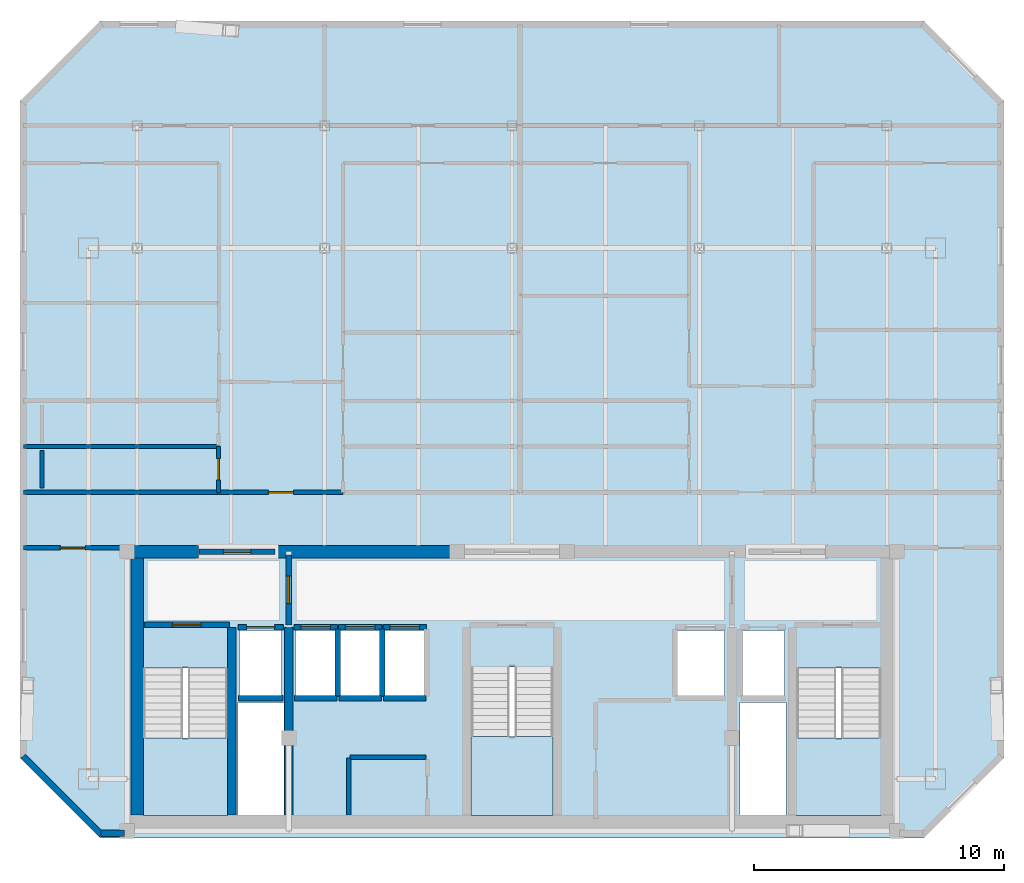
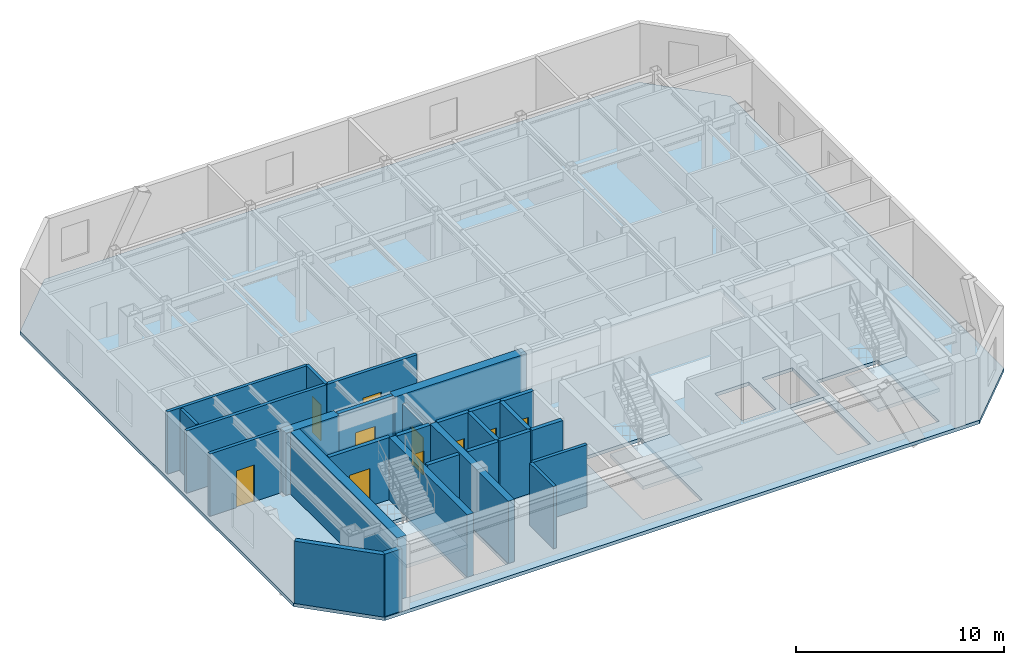
# One storey, part 2 of 7: 28 walls, 10 doors, 4 slabs, 10 openings, 3 elements without a shape of their own.
"""IFC4 building model written with IfcOpenShell, lengths in metres."""

from ifc_helpers import new_model, si_unit, direction, frame, frame_2d, origin, place, context, subcontext, project, spatial, polyline, rectangle, outline, extrude, material, layer, layer_set, type_object, element, fill, aggregate, save


model = new_model("IFC4")

# Units and contexts
model_context = context("Model", 3, precision=1e-05, world=origin(), true_north=direction((0.0, 1.0)))
body_context = subcontext(model_context, "Body", "Model", "MODEL_VIEW")
ifc_project = project(units=[si_unit("LENGTHUNIT", "METRE"), si_unit("AREAUNIT", "SQUARE_METRE"), si_unit("VOLUMEUNIT", "CUBIC_METRE"), si_unit("PLANEANGLEUNIT", "RADIAN"), si_unit("MASSUNIT", "GRAM", prefix="KILO")], contexts=[model_context])

# Site, building, storey
site_placement = place(None, origin())
site = spatial("IfcSite", under=ifc_project, at=site_placement, CompositionType="ELEMENT")
building_placement = place(site_placement, origin())
building = spatial("IfcBuilding", under=site, at=building_placement, Name="Ventersveld Concourse Tower", CompositionType="ELEMENT")
storey_placement = place(building_placement, frame((0.0, 0.0, 320.75)))
storey = spatial("IfcBuildingStorey", under=building, at=storey_placement, Name="L79", CompositionType="ELEMENT", Elevation=320.75)

# Slab
ifc_material_1 = material(Name="Concrete C50/60", Category="concrete")
ifc_layer_1 = layer(ifc_material_1, 0.199951171875)
ifc_layer_set_1 = layer_set([ifc_layer_1], Name="Concrete C50/60")
slab_type_1 = type_object("IfcSlabType", Name="SL-FLR-200", PredefinedType="FLOOR", material=ifc_layer_set_1)
slab_1_placement = place(storey_placement, frame((0.0, 0.0, -0.199951171875)))
element("IfcSlab", 1, at=slab_1_placement, inside=storey, type_object=slab_type_1, Name="L79 Composite Floor Slab", PredefinedType="FLOOR", context=body_context, shape_type="SweptSolid", body=[
    extrude(outline(polyline([(12.26416015625, 0.0), (45.23583984375, 0.0), (48.435791015625, 3.199951171875), (48.435791015625, 29.476318359375), (45.23583984375, 32.67626953125), (12.26416015625, 32.67626953125), (9.064208984375, 29.476318359375), (9.064208984375, 3.199951171875), (12.26416015625, 0.0)]), holes=[polyline([(13.97998046875, 6.794921875), (13.97998046875, 0.89990234375), (17.3798828125, 0.89990234375), (17.3798828125, 6.794921875), (13.97998046875, 6.794921875)]), polyline([(40.1201171875, 6.794921875), (40.1201171875, 0.89990234375), (43.52001953125, 0.89990234375), (43.52001953125, 6.794921875), (40.1201171875, 6.794921875)]), polyline([(27.10009765625, 6.844970703125), (27.10009765625, 0.89990234375), (30.39990234375, 0.89990234375), (30.39990234375, 6.844970703125), (27.10009765625, 6.844970703125)]), polyline([(17.85009765625, 5.699951171875), (19.530029296875, 5.699951171875), (19.530029296875, 8.300048828125), (17.85009765625, 8.300048828125), (17.85009765625, 5.699951171875)]), polyline([(37.969970703125, 5.699951171875), (39.64990234375, 5.699951171875), (39.64990234375, 8.300048828125), (37.969970703125, 8.300048828125), (37.969970703125, 5.699951171875)]), polyline([(35.35009765625, 5.699951171875), (37.25, 5.699951171875), (37.25, 8.300048828125), (35.35009765625, 8.300048828125), (35.35009765625, 5.699951171875)]), polyline([(20.090087890625, 5.699951171875), (21.68994140625, 5.699951171875), (21.68994140625, 8.300048828125), (20.090087890625, 8.300048828125), (20.090087890625, 5.699951171875)]), polyline([(21.8701171875, 5.699951171875), (23.469970703125, 5.699951171875), (23.469970703125, 8.300048828125), (21.8701171875, 8.300048828125), (21.8701171875, 5.699951171875)]), polyline([(23.64990234375, 5.699951171875), (25.25, 5.699951171875), (25.25, 8.300048828125), (23.64990234375, 8.300048828125), (23.64990234375, 5.699951171875)]), polyline([(17.780029296875, 0.919921875), (19.6201171875, 0.919921875), (19.6201171875, 5.419921875), (17.780029296875, 5.419921875), (17.780029296875, 0.919921875)]), polyline([(37.8798828125, 0.919921875), (39.719970703125, 0.919921875), (39.719970703125, 5.419921875), (37.8798828125, 5.419921875), (37.8798828125, 0.919921875)])]), origin(), (0.0, 0.0, 1.0), 0.199951171875),
])

# Stair, slab
stair_type_1 = type_object("IfcStairType", Name="ST-DOG-160", PredefinedType="HALF_TURN_STAIR", material=ifc_material_1)
stair_1_placement = place(storey_placement, origin())
stair_1 = element("IfcStair", 2, at=stair_1_placement, inside=storey, type_object=stair_type_1, Name="L79 Protected Tower Escape Stair ST-01", PredefinedType="HALF_TURN_STAIR")
ifc_layer_2 = layer(ifc_material_1, 0.199951171875)
ifc_layer_set_2 = layer_set([ifc_layer_2], Name="Concrete C50/60")
slab_type_2 = type_object("IfcSlabType", Name="SL-LND-200", PredefinedType="LANDING", material=ifc_layer_set_2)
slab_2_placement = place(storey_placement, frame((0.0, 0.0, 1.72509765625)))
slab_2 = element("IfcSlab", 3, at=slab_2_placement, type_object=slab_type_2, Name="ST-01 landing 1", PredefinedType="LANDING", context=body_context, shape_type="SweptSolid", body=[
    extrude(outline(polyline([(13.97998046875, 4.0), (13.97998046875, 0.89990234375), (17.3798828125, 0.89990234375), (17.3798828125, 4.0), (13.97998046875, 4.0)])), origin(), (0.0, 0.0, 1.0), 0.199951171875),
])
aggregate(stair_1, [slab_2])

stair_2_placement = place(storey_placement, origin())
stair_2 = element("IfcStair", 4, at=stair_2_placement, inside=storey, type_object=stair_type_1, Name="L79 Protected Tower Escape Stair ST-02", PredefinedType="HALF_TURN_STAIR")
slab_3_placement = place(storey_placement, frame((0.0, 0.0, 1.72509765625)))
slab_3 = element("IfcSlab", 5, at=slab_3_placement, type_object=slab_type_2, Name="ST-02 landing 1", PredefinedType="LANDING", context=body_context, shape_type="SweptSolid", body=[
    extrude(outline(polyline([(40.1201171875, 4.0), (40.1201171875, 0.89990234375), (43.52001953125, 0.89990234375), (43.52001953125, 4.0), (40.1201171875, 4.0)])), origin(), (0.0, 0.0, 1.0), 0.199951171875),
])
aggregate(stair_2, [slab_3])

stair_type_2 = type_object("IfcStairType", Name="ST-DOG-155", PredefinedType="HALF_TURN_STAIR", material=ifc_material_1)
stair_3_placement = place(storey_placement, origin())
stair_3 = element("IfcStair", 6, at=stair_3_placement, inside=storey, type_object=stair_type_2, Name="L79 Protected Central Core Escape Stair ST-03", PredefinedType="HALF_TURN_STAIR")
slab_4_placement = place(storey_placement, frame((0.0, 0.0, 1.72509765625)))
slab_4 = element("IfcSlab", 7, at=slab_4_placement, type_object=slab_type_2, Name="ST-03 landing 1", PredefinedType="LANDING", context=body_context, shape_type="SweptSolid", body=[
    extrude(outline(polyline([(27.10009765625, 4.050048828125), (27.10009765625, 0.89990234375), (30.39990234375, 0.89990234375), (30.39990234375, 4.050048828125), (27.10009765625, 4.050048828125)])), origin(), (0.0, 0.0, 1.0), 0.199951171875),
])
aggregate(stair_3, [slab_4])

# Walls
ifc_layer_3 = layer(ifc_material_1, 0.35009765625)
ifc_layer_set_3 = layer_set([ifc_layer_3], Name="Concrete C50/60")
wall_type_1 = type_object("IfcWallType", Name="WL-CORE-350U", PredefinedType="SHEAR", material=ifc_layer_set_3)
for number, where, z_axis, x_axis, name in (
    (8, (17.5400390625, 0.919921875, 0.0), (0.0, 0.0, 1.0), (0.0, 1.0, 0.0), "L79 Core Internal Shear Web W-ST1-E"),
    (9, (19.820068359375, 0.919921875, 0.0), (0.0, 0.0, 1.0), (0.0, 1.0, 0.0), "L79 Core Internal Shear Web W-FF1-E"),
):
    element("IfcWall", number, at=place(storey_placement, frame(where, z_axis=z_axis, x_axis=x_axis)), inside=storey, type_object=wall_type_1, Name=name, PredefinedType="SHEAR", context=body_context, shape_type="SweptSolid", body=[
        extrude(rectangle(XDim=7.5, YDim=0.35009765625, at=frame_2d((3.75, 0.0))), origin(), (0.0, 0.0, 1.0), 3.64990234375),
    ])
ifc_layer_4 = layer(ifc_material_1, 0.5)
ifc_layer_set_4 = layer_set([ifc_layer_4], Name="Concrete C50/60")
wall_type_2 = type_object("IfcWallType", Name="WL-CORE-500", PredefinedType="SHEAR", material=ifc_layer_set_4)
wall_1_placement = place(storey_placement, frame((13.75, 0.919921875, 0.0), z_axis=(0.0, 0.0, 1.0), x_axis=(0.0, 1.0, 0.0)))
element("IfcWall", 10, at=wall_1_placement, inside=storey, type_object=wall_type_2, Name="L79 Rear Core West Shear Wall", PredefinedType="SHEAR", context=body_context, shape_type="SweptSolid", body=[
    extrude(rectangle(XDim=10.530029296875, YDim=0.5, at=frame_2d((5.26513671875, 0.0))), origin(), (0.0, 0.0, 1.0), 3.64990234375),
])
wall_2_placement = place(storey_placement, frame((13.25, 11.449951171875, 0.0), z_axis=(0.0, 0.0, 1.0), x_axis=(1.0, 0.0, 0.0)))
element("IfcWall", 11, at=wall_2_placement, inside=storey, type_object=wall_type_2, Name="L79 Rear Core North Shear Wall NW", PredefinedType="SHEAR", context=body_context, shape_type="SweptSolid", body=[
    extrude(rectangle(XDim=2.949951171875, YDim=0.5, at=frame_2d((1.47509765625, 0.0))), origin(), (0.0, 0.0, 1.0), 3.64990234375),
])
wall_3_placement = place(storey_placement, frame((19.300048828125, 11.449951171875, 0.0), z_axis=(0.0, 0.0, 1.0), x_axis=(1.0, 0.0, 0.0)))
element("IfcWall", 12, at=wall_3_placement, inside=storey, type_object=wall_type_2, Name="L79 Rear Core North Shear Wall NML", PredefinedType="SHEAR", context=body_context, shape_type="SweptSolid", body=[
    extrude(rectangle(XDim=7.300048828125, YDim=0.5, at=frame_2d((3.64990234375, 0.0))), origin(), (0.0, 0.0, 1.0), 3.64990234375),
])
ifc_material_2 = material(Name="Fire-rated autoclaved aerated masonry blockwork", Category="masonry")
ifc_layer_5 = layer(ifc_material_2, 0.179931640625)
ifc_layer_set_5 = layer_set([ifc_layer_5], Name="Fire-rated autoclaved aerated masonry blockwork")
wall_type_3 = type_object("IfcWallType", Name="WL-CORR-180", PredefinedType="PARTITIONING", material=ifc_layer_set_5)
wall_4_placement = place(storey_placement, frame((22.260009765625, 3.22998046875, 0.0), z_axis=(0.0, 0.0, 1.0), x_axis=(1.0, 0.0, 0.0)))
element("IfcWall", 13, at=wall_4_placement, inside=storey, type_object=wall_type_3, Name="L79 Core Top Wall SP-L79-RECB1", PredefinedType="PARTITIONING", context=body_context, shape_type="SweptSolid", body=[
    extrude(rectangle(XDim=3.0400390625, YDim=0.179931640625, at=frame_2d((1.52001953125, 0.0))), origin(), (0.0, 0.0, 1.0), 3.64990234375),
])
wall_5_placement = place(storey_placement, frame((22.219970703125, 0.909912109375, 0.0), z_axis=(0.0, 0.0, 1.0), x_axis=(0.0, 1.0, 0.0)))
element("IfcWall", 14, at=wall_5_placement, inside=storey, type_object=wall_type_3, Name="L79 Core West Wall SP-L79-RECB1", PredefinedType="PARTITIONING", context=body_context, shape_type="SweptSolid", body=[
    extrude(rectangle(XDim=2.280029296875, YDim=0.179931640625, at=frame_2d((1.14013671875, 0.0))), origin(), (0.0, 0.0, 1.0), 3.64990234375),
])

# Wall, opening, door
wall_6_placement = place(storey_placement, frame((9.213623046875, 11.60009765625, 0.0), z_axis=(0.0, 0.0, 1.0), x_axis=(1.0, 0.0, 0.0)))
wall_6 = element("IfcWall", 15, at=wall_6_placement, inside=storey, type_object=wall_type_3, Name="L79 Interior Partition SP-L79-SW-GAL-SP-L79-COR", PredefinedType="PARTITIONING", context=body_context, shape_type="SweptSolid", body=[
    extrude(rectangle(XDim=3.931396484375, YDim=0.179931640625, at=frame_2d((1.9658203125, 0.0))), origin(), (0.0, 0.0, 1.0), 3.64990234375),
])
opening_1_placement = place(wall_6_placement, frame((1.4658203125, 0.0, 0.0)))
opening_1 = element("IfcOpeningElement", 16, at=opening_1_placement, cuts=wall_6, Name="Opening FD3", PredefinedType="OPENING", context=body_context, shape_type="SweptSolid", body=[
    extrude(rectangle(XDim=1.0, YDim=2.14990234375, at=frame_2d((0.5, 1.074951171875))), frame((0.0, 0.10009765625, 0.0), z_axis=(0.0, -1.0, 0.0), x_axis=(1.0, 0.0, 0.0)), (0.0, 0.0, 1.0), 0.199951171875),
])
ifc_material_3 = material(Name="Solid-core hardwood veneer timber", Category="wood")
door_type_1 = type_object("IfcDoorType", Name="DR-FLAT-100", OperationType="NOTDEFINED", PredefinedType="DOOR", material=ifc_material_3)
door_1_placement = place(opening_1_placement, origin())
door_1 = element("IfcDoor", 17, at=door_1_placement, inside=storey, type_object=door_type_1, Name="L79 Interior Door SP-L79-SW-GAL to SP-L79-COR (D-L79-3602)", OperationType="SINGLE_SWING_RIGHT", OverallHeight=2.14990234375, OverallWidth=1.0, PredefinedType="DOOR", context=body_context, shape_type="SweptSolid", body=[
    extrude(rectangle(XDim=1.0, YDim=2.14990234375, at=frame_2d((0.5, 1.074951171875))), frame((0.0, 0.02490234375, 0.0), z_axis=(0.0, -1.0, 0.0), x_axis=(1.0, 0.0, 0.0)), (0.0, 0.0, 1.0), 0.050048828125),
])
fill(opening_1, door_1)

wall_7_placement = place(storey_placement, frame((17.007568359375, 13.830078125, 0.0), z_axis=(0.0, 0.0, 1.0), x_axis=(1.0, 0.0, 0.0)))
wall_7 = element("IfcWall", 18, at=wall_7_placement, inside=storey, type_object=wall_type_3, Name="L79 Interior Partition SP-L79-COR-SP-L79-79N1-FOY", PredefinedType="PARTITIONING", context=body_context, shape_type="SweptSolid", body=[
    extrude(rectangle(XDim=4.989990234375, YDim=0.179931640625, at=frame_2d((2.4951171875, 0.0))), origin(), (0.0, 0.0, 1.0), 3.64990234375),
])
opening_2_placement = place(wall_7_placement, frame((1.9951171875, 0.0, 0.0)))
opening_2 = element("IfcOpeningElement", 19, at=opening_2_placement, cuts=wall_7, Name="Opening FD3", PredefinedType="OPENING", context=body_context, shape_type="SweptSolid", body=[
    extrude(rectangle(XDim=1.0, YDim=2.14990234375, at=frame_2d((0.5, 1.074951171875))), frame((0.0, 0.10009765625, 0.0), z_axis=(0.0, -1.0, 0.0), x_axis=(1.0, 0.0, 0.0)), (0.0, 0.0, 1.0), 0.199951171875),
])
door_2_placement = place(opening_2_placement, origin())
door_2 = element("IfcDoor", 20, at=door_2_placement, inside=storey, type_object=door_type_1, Name="L79 Interior Door SP-L79-COR to SP-L79-79N1-FOY (FD-L79-3604)", OperationType="SINGLE_SWING_RIGHT", OverallHeight=2.14990234375, OverallWidth=1.0, PredefinedType="DOOR", context=body_context, shape_type="SweptSolid", body=[
    extrude(rectangle(XDim=1.0, YDim=2.14990234375, at=frame_2d((0.5, 1.074951171875))), frame((0.0, 0.02490234375, 0.0), z_axis=(0.0, -1.0, 0.0), x_axis=(1.0, 0.0, 0.0)), (0.0, 0.0, 1.0), 0.050048828125),
])
fill(opening_2, door_2)

# Walls
wall_8_placement = place(storey_placement, frame((9.213623046875, 13.830078125, 0.0), z_axis=(0.0, 0.0, 1.0), x_axis=(1.0, 0.0, 0.0)))
element("IfcWall", 21, at=wall_8_placement, inside=storey, type_object=wall_type_3, Name="L79 Interior Partition SP-L79-COR-SP-L79-79N1-BATH", PredefinedType="PARTITIONING", context=body_context, shape_type="SweptSolid", body=[
    extrude(rectangle(XDim=7.763916015625, YDim=0.179931640625, at=frame_2d((3.8818359375, 0.0))), origin(), (0.0, 0.0, 1.0), 3.64990234375),
])
ifc_layer_6 = layer(ifc_material_2, 0.219970703125)
ifc_layer_set_6 = layer_set([ifc_layer_6], Name="Fire-rated autoclaved aerated masonry blockwork")
wall_type_4 = type_object("IfcWallType", Name="WL-HOIST-220", PredefinedType="SOLIDWALL", material=ifc_layer_set_6)
wall_9_placement = place(storey_placement, frame((17.800048828125, 5.590087890625, 0.0), z_axis=(0.0, 0.0, 1.0), x_axis=(1.0, 0.0, 0.0)))
element("IfcWall", 22, at=wall_9_placement, inside=storey, type_object=wall_type_4, Name="L79 Lift Hoistway Back Wall FFL-01", PredefinedType="SOLIDWALL", context=body_context, shape_type="SweptSolid", body=[
    extrude(rectangle(XDim=1.780029296875, YDim=0.219970703125, at=frame_2d((0.89013671875, 0.0))), origin(), (0.0, 0.0, 1.0), 3.64990234375),
])

# Wall, opening, door
wall_10_placement = place(storey_placement, frame((17.780029296875, 8.429931640625, 0.0), z_axis=(0.0, 0.0, 1.0), x_axis=(1.0, 0.0, 0.0)))
wall_10 = element("IfcWall", 23, at=wall_10_placement, inside=storey, type_object=wall_type_4, Name="L79 Lift Hoistway Front Wall FFL-01", PredefinedType="SOLIDWALL", context=body_context, shape_type="SweptSolid", body=[
    extrude(rectangle(XDim=1.820068359375, YDim=0.219970703125, at=frame_2d((0.91015625, 0.0))), origin(), (0.0, 0.0, 1.0), 3.64990234375),
])
opening_3_placement = place(wall_10_placement, frame((0.35009765625, 0.0, 0.0)))
opening_3 = element("IfcOpeningElement", 24, at=opening_3_placement, cuts=wall_10, Name="Opening LD1", PredefinedType="OPENING", context=body_context, shape_type="SweptSolid", body=[
    extrude(rectangle(XDim=1.1201171875, YDim=2.25, at=frame_2d((0.56005859375, 1.125))), frame((0.0, 0.1201171875, 0.0), z_axis=(0.0, -1.0, 0.0), x_axis=(1.0, 0.0, 0.0)), (0.0, 0.0, 1.0), 0.239990234375),
])
ifc_material_4 = material(Name="Brushed stainless steel 316", Category="steel")
door_type_2 = type_object("IfcDoorType", Name="LD-FF-112", OperationType="SLIDING_TO_LEFT", PredefinedType="DOOR", material=ifc_material_4)
door_3_placement = place(opening_3_placement, origin())
door_3 = element("IfcDoor", 25, at=door_3_placement, inside=storey, type_object=door_type_2, Name="L79 Lift landing door FFL-01 (LD-L79-FFL-01)", OperationType="SLIDING_TO_RIGHT", OverallHeight=2.25, OverallWidth=1.1201171875, PredefinedType="DOOR", context=body_context, shape_type="SweptSolid", body=[
    extrude(rectangle(XDim=1.1201171875, YDim=2.25, at=frame_2d((0.56005859375, 1.125))), frame((0.0, 0.02490234375, 0.0), z_axis=(0.0, -1.0, 0.0), x_axis=(1.0, 0.0, 0.0)), (0.0, 0.0, 1.0), 0.050048828125),
])
fill(opening_3, door_3)

# Walls
wall_11_placement = place(storey_placement, frame((20.0400390625, 5.590087890625, 0.0), z_axis=(0.0, 0.0, 1.0), x_axis=(1.0, 0.0, 0.0)))
element("IfcWall", 26, at=wall_11_placement, inside=storey, type_object=wall_type_4, Name="L79 Lift Hoistway Back Wall PH-01", PredefinedType="SOLIDWALL", context=body_context, shape_type="SweptSolid", body=[
    extrude(rectangle(XDim=1.699951171875, YDim=0.219970703125, at=frame_2d((0.85009765625, 0.0))), origin(), (0.0, 0.0, 1.0), 3.64990234375),
])
wall_12_placement = place(storey_placement, frame((21.780029296875, 5.64990234375, 0.0), z_axis=(0.0, 0.0, 1.0), x_axis=(0.0, 1.0, 0.0)))
element("IfcWall", 27, at=wall_12_placement, inside=storey, type_object=wall_type_4, Name="L79 Lift Hoistway Side Wall PH-01E", PredefinedType="SOLIDWALL", context=body_context, shape_type="SweptSolid", body=[
    extrude(rectangle(XDim=2.7001953125, YDim=0.219970703125, at=frame_2d((1.35009765625, 0.0))), origin(), (0.0, 0.0, 1.0), 3.64990234375),
])

# Wall, opening, door
wall_13_placement = place(storey_placement, frame((20.02001953125, 8.429931640625, 0.0), z_axis=(0.0, 0.0, 1.0), x_axis=(1.0, 0.0, 0.0)))
wall_13 = element("IfcWall", 28, at=wall_13_placement, inside=storey, type_object=wall_type_4, Name="L79 Lift Hoistway Front Wall PH-01", PredefinedType="SOLIDWALL", context=body_context, shape_type="SweptSolid", body=[
    extrude(rectangle(XDim=1.739990234375, YDim=0.219970703125, at=frame_2d((0.8701171875, 0.0))), origin(), (0.0, 0.0, 1.0), 3.64990234375),
])
opening_4_placement = place(wall_13_placement, frame((0.280029296875, 0.0, 0.0)))
opening_4 = element("IfcOpeningElement", 29, at=opening_4_placement, cuts=wall_13, Name="Opening LD2", PredefinedType="OPENING", context=body_context, shape_type="SweptSolid", body=[
    extrude(rectangle(XDim=1.179931640625, YDim=2.199951171875, at=frame_2d((0.58984375, 1.10009765625))), frame((0.0, 0.1201171875, 0.0), z_axis=(0.0, -1.0, 0.0), x_axis=(1.0, 0.0, 0.0)), (0.0, 0.0, 1.0), 0.239990234375),
])
door_type_3 = type_object("IfcDoorType", Name="LD-PAX-118", OperationType="SLIDING_TO_LEFT", PredefinedType="DOOR", material=ifc_material_4)
door_4_placement = place(opening_4_placement, origin())
door_4 = element("IfcDoor", 30, at=door_4_placement, inside=storey, type_object=door_type_3, Name="L79 Lift landing door PH-01 (LD-L79-PH-01)", OperationType="SLIDING_TO_LEFT", OverallHeight=2.199951171875, OverallWidth=1.179931640625, PredefinedType="DOOR", context=body_context, shape_type="SweptSolid", body=[
    extrude(rectangle(XDim=1.179931640625, YDim=2.199951171875, at=frame_2d((0.58984375, 1.10009765625))), frame((0.0, 0.02490234375, 0.0), z_axis=(0.0, -1.0, 0.0), x_axis=(1.0, 0.0, 0.0)), (0.0, 0.0, 1.0), 0.050048828125),
])
fill(opening_4, door_4)

# Walls
wall_14_placement = place(storey_placement, frame((21.820068359375, 5.590087890625, 0.0), z_axis=(0.0, 0.0, 1.0), x_axis=(1.0, 0.0, 0.0)))
element("IfcWall", 31, at=wall_14_placement, inside=storey, type_object=wall_type_4, Name="L79 Lift Hoistway Back Wall PH-02", PredefinedType="SOLIDWALL", context=body_context, shape_type="SweptSolid", body=[
    extrude(rectangle(XDim=1.699951171875, YDim=0.219970703125, at=frame_2d((0.85009765625, 0.0))), origin(), (0.0, 0.0, 1.0), 3.64990234375),
])
wall_15_placement = place(storey_placement, frame((23.56005859375, 5.64990234375, 0.0), z_axis=(0.0, 0.0, 1.0), x_axis=(0.0, 1.0, 0.0)))
element("IfcWall", 32, at=wall_15_placement, inside=storey, type_object=wall_type_4, Name="L79 Lift Hoistway Side Wall PH-02E", PredefinedType="SOLIDWALL", context=body_context, shape_type="SweptSolid", body=[
    extrude(rectangle(XDim=2.7001953125, YDim=0.219970703125, at=frame_2d((1.35009765625, 0.0))), origin(), (0.0, 0.0, 1.0), 3.64990234375),
])

# Wall, opening, door
wall_16_placement = place(storey_placement, frame((21.800048828125, 8.429931640625, 0.0), z_axis=(0.0, 0.0, 1.0), x_axis=(1.0, 0.0, 0.0)))
wall_16 = element("IfcWall", 33, at=wall_16_placement, inside=storey, type_object=wall_type_4, Name="L79 Lift Hoistway Front Wall PH-02", PredefinedType="SOLIDWALL", context=body_context, shape_type="SweptSolid", body=[
    extrude(rectangle(XDim=1.739990234375, YDim=0.219970703125, at=frame_2d((0.8701171875, 0.0))), origin(), (0.0, 0.0, 1.0), 3.64990234375),
])
opening_5_placement = place(wall_16_placement, frame((0.280029296875, 0.0, 0.0)))
opening_5 = element("IfcOpeningElement", 34, at=opening_5_placement, cuts=wall_16, Name="Opening LD2", PredefinedType="OPENING", context=body_context, shape_type="SweptSolid", body=[
    extrude(rectangle(XDim=1.179931640625, YDim=2.199951171875, at=frame_2d((0.58984375, 1.10009765625))), frame((0.0, 0.1201171875, 0.0), z_axis=(0.0, -1.0, 0.0), x_axis=(1.0, 0.0, 0.0)), (0.0, 0.0, 1.0), 0.239990234375),
])
door_5_placement = place(opening_5_placement, origin())
door_5 = element("IfcDoor", 35, at=door_5_placement, inside=storey, type_object=door_type_3, Name="L79 Lift landing door PH-02 (LD-L79-PH-02)", OperationType="SLIDING_TO_RIGHT", OverallHeight=2.199951171875, OverallWidth=1.179931640625, PredefinedType="DOOR", context=body_context, shape_type="SweptSolid", body=[
    extrude(rectangle(XDim=1.179931640625, YDim=2.199951171875, at=frame_2d((0.58984375, 1.10009765625))), frame((0.0, 0.02490234375, 0.0), z_axis=(0.0, -1.0, 0.0), x_axis=(1.0, 0.0, 0.0)), (0.0, 0.0, 1.0), 0.050048828125),
])
fill(opening_5, door_5)

# Wall
wall_17_placement = place(storey_placement, frame((23.60009765625, 5.590087890625, 0.0), z_axis=(0.0, 0.0, 1.0), x_axis=(1.0, 0.0, 0.0)))
element("IfcWall", 36, at=wall_17_placement, inside=storey, type_object=wall_type_4, Name="L79 Lift Hoistway Back Wall PH-03", PredefinedType="SOLIDWALL", context=body_context, shape_type="SweptSolid", body=[
    extrude(rectangle(XDim=1.699951171875, YDim=0.219970703125, at=frame_2d((0.85009765625, 0.0))), origin(), (0.0, 0.0, 1.0), 3.64990234375),
])

# Wall, opening, door
wall_18_placement = place(storey_placement, frame((23.580078125, 8.429931640625, 0.0), z_axis=(0.0, 0.0, 1.0), x_axis=(1.0, 0.0, 0.0)))
wall_18 = element("IfcWall", 37, at=wall_18_placement, inside=storey, type_object=wall_type_4, Name="L79 Lift Hoistway Front Wall PH-03", PredefinedType="SOLIDWALL", context=body_context, shape_type="SweptSolid", body=[
    extrude(rectangle(XDim=1.739990234375, YDim=0.219970703125, at=frame_2d((0.8701171875, 0.0))), origin(), (0.0, 0.0, 1.0), 3.64990234375),
])
opening_6_placement = place(wall_18_placement, frame((0.280029296875, 0.0, 0.0)))
opening_6 = element("IfcOpeningElement", 38, at=opening_6_placement, cuts=wall_18, Name="Opening LD2", PredefinedType="OPENING", context=body_context, shape_type="SweptSolid", body=[
    extrude(rectangle(XDim=1.179931640625, YDim=2.199951171875, at=frame_2d((0.58984375, 1.10009765625))), frame((0.0, 0.1201171875, 0.0), z_axis=(0.0, -1.0, 0.0), x_axis=(1.0, 0.0, 0.0)), (0.0, 0.0, 1.0), 0.239990234375),
])
door_6_placement = place(opening_6_placement, origin())
door_6 = element("IfcDoor", 39, at=door_6_placement, inside=storey, type_object=door_type_3, Name="L79 Lift landing door PH-03 (LD-L79-PH-03)", OperationType="SLIDING_TO_LEFT", OverallHeight=2.199951171875, OverallWidth=1.179931640625, PredefinedType="DOOR", context=body_context, shape_type="SweptSolid", body=[
    extrude(rectangle(XDim=1.179931640625, YDim=2.199951171875, at=frame_2d((0.58984375, 1.10009765625))), frame((0.0, 0.02490234375, 0.0), z_axis=(0.0, -1.0, 0.0), x_axis=(1.0, 0.0, 0.0)), (0.0, 0.0, 1.0), 0.050048828125),
])
fill(opening_6, door_6)

wall_19_placement = place(storey_placement, frame((14.0400390625, 8.52001953125, 0.0), z_axis=(0.0, 0.0, 1.0), x_axis=(1.0, 0.0, 0.0)))
wall_19 = element("IfcWall", 40, at=wall_19_placement, inside=storey, type_object=wall_type_4, Name="L79 Escape Stair ST01 Fire Wall", PredefinedType="SOLIDWALL", context=body_context, shape_type="SweptSolid", body=[
    extrude(rectangle(XDim=3.39990234375, YDim=0.219970703125, at=frame_2d((1.699951171875, 0.0))), origin(), (0.0, 0.0, 1.0), 3.64990234375),
])
opening_7_placement = place(wall_19_placement, frame((1.125, 0.0, 0.0)))
opening_7 = element("IfcOpeningElement", 41, at=opening_7_placement, cuts=wall_19, Name="Opening FD1", PredefinedType="OPENING", context=body_context, shape_type="SweptSolid", body=[
    extrude(rectangle(XDim=1.14990234375, YDim=2.199951171875, at=frame_2d((0.574951171875, 1.10009765625))), frame((0.0, 0.1201171875, 0.0), z_axis=(0.0, -1.0, 0.0), x_axis=(1.0, 0.0, 0.0)), (0.0, 0.0, 1.0), 0.239990234375),
])
ifc_material_5 = material(Name="Galvanised painted steel", Category="steel")
door_type_4 = type_object("IfcDoorType", Name="DR-STAIR-115", OperationType="NOTDEFINED", PredefinedType="DOOR", material=ifc_material_5)
door_7_placement = place(opening_7_placement, origin())
door_7 = element("IfcDoor", 42, at=door_7_placement, inside=storey, type_object=door_type_4, Name="L79 Escape Stair Door ST01 (SD-L79-3592)", OperationType="SINGLE_SWING_LEFT", OverallHeight=2.199951171875, OverallWidth=1.14990234375, PredefinedType="DOOR", context=body_context, shape_type="SweptSolid", body=[
    extrude(rectangle(XDim=1.14990234375, YDim=2.199951171875, at=frame_2d((0.574951171875, 1.10009765625))), frame((0.0, 0.02490234375, 0.0), z_axis=(0.0, -1.0, 0.0), x_axis=(1.0, 0.0, 0.0)), (0.0, 0.0, 1.0), 0.050048828125),
])
fill(opening_7, door_7)

wall_20_placement = place(storey_placement, frame((19.820068359375, 8.52001953125, 0.0), z_axis=(0.0, 0.0, 1.0), x_axis=(0.0, 1.0, 0.0)))
wall_20 = element("IfcWall", 43, at=wall_20_placement, inside=storey, type_object=wall_type_4, Name="L79 Firefighting Lobby Smoke-Stop Wall FFLW-SEP", PredefinedType="SOLIDWALL", context=body_context, shape_type="SweptSolid", body=[
    extrude(rectangle(XDim=2.800048828125, YDim=0.219970703125, at=frame_2d((1.39990234375, 0.0))), origin(), (0.0, 0.0, 1.0), 3.10546875),
])
opening_8_placement = place(wall_20_placement, frame((0.85009765625, 0.0, 0.0)))
opening_8 = element("IfcOpeningElement", 44, at=opening_8_placement, cuts=wall_20, Name="Opening FD2", PredefinedType="OPENING", context=body_context, shape_type="SweptSolid", body=[
    extrude(rectangle(XDim=1.10009765625, YDim=2.199951171875, at=frame_2d((0.550048828125, 1.10009765625))), frame((0.0, 0.1201171875, 0.0), z_axis=(0.0, -1.0, 0.0), x_axis=(1.0, 0.0, 0.0)), (0.0, 0.0, 1.0), 0.239990234375),
])
door_type_5 = type_object("IfcDoorType", Name="DR-FFL-110", OperationType="NOTDEFINED", PredefinedType="DOOR", material=ifc_material_5)
door_8_placement = place(opening_8_placement, origin())
door_8 = element("IfcDoor", 45, at=door_8_placement, inside=storey, type_object=door_type_5, Name="L79 Firefighting Lobby Door FFLW-SEP (FD-L79-3595)", OperationType="SINGLE_SWING_LEFT", OverallHeight=2.199951171875, OverallWidth=1.10009765625, PredefinedType="DOOR", context=body_context, shape_type="SweptSolid", body=[
    extrude(rectangle(XDim=1.10009765625, YDim=2.199951171875, at=frame_2d((0.550048828125, 1.10009765625))), frame((0.0, 0.02490234375, 0.0), z_axis=(0.0, -1.0, 0.0), x_axis=(1.0, 0.0, 0.0)), (0.0, 0.0, 1.0), 0.050048828125),
])
fill(opening_8, door_8)

wall_21_placement = place(storey_placement, frame((16.22998046875, 11.449951171875, 0.0), z_axis=(0.0, 0.0, 1.0), x_axis=(1.0, 0.0, 0.0)))
wall_21 = element("IfcWall", 46, at=wall_21_placement, inside=storey, type_object=wall_type_4, Name="L79 Core North Fire Portal FFLW-OUT", PredefinedType="SOLIDWALL", context=body_context, shape_type="SweptSolid", body=[
    extrude(rectangle(XDim=3.0400390625, YDim=0.219970703125, at=frame_2d((1.52001953125, 0.0))), origin(), (0.0, 0.0, 1.0), 3.64990234375),
])
opening_9_placement = place(wall_21_placement, frame((0.969970703125, 0.0, 0.0)))
opening_9 = element("IfcOpeningElement", 47, at=opening_9_placement, cuts=wall_21, Name="Opening FD2", PredefinedType="OPENING", context=body_context, shape_type="SweptSolid", body=[
    extrude(rectangle(XDim=1.10009765625, YDim=2.199951171875, at=frame_2d((0.550048828125, 1.10009765625))), frame((0.0, 0.1201171875, 0.0), z_axis=(0.0, -1.0, 0.0), x_axis=(1.0, 0.0, 0.0)), (0.0, 0.0, 1.0), 0.239990234375),
])
door_9_placement = place(opening_9_placement, origin())
door_9 = element("IfcDoor", 48, at=door_9_placement, inside=storey, type_object=door_type_5, Name="L79 Core Lobby Fire Door FFLW-OUT (FD-L79-3597)", OperationType="SINGLE_SWING_RIGHT", OverallHeight=2.199951171875, OverallWidth=1.10009765625, PredefinedType="DOOR", context=body_context, shape_type="SweptSolid", body=[
    extrude(rectangle(XDim=1.10009765625, YDim=2.199951171875, at=frame_2d((0.550048828125, 1.10009765625))), frame((0.0, 0.02490234375, 0.0), z_axis=(0.0, -1.0, 0.0), x_axis=(1.0, 0.0, 0.0)), (0.0, 0.0, 1.0), 0.050048828125),
])
fill(opening_9, door_9)

# Walls
ifc_material_6 = material(Name="Precast concrete C45/55", Category="concrete")
ifc_layer_7 = layer(ifc_material_6, 0.260009765625)
ifc_layer_set_7 = layer_set([ifc_layer_7], Name="Precast concrete C45/55")
wall_type_5 = type_object("IfcWallType", Name="WL-PREC-260", PredefinedType="SOLIDWALL", material=ifc_layer_set_7)
wall_22_placement = place(storey_placement, frame((12.30419921875, 0.179931640625, 0.0), z_axis=(0.0, 0.0, 1.0), x_axis=(1.0, 0.0, 0.0)))
element("IfcWall", 49, at=wall_22_placement, inside=storey, type_object=wall_type_5, Name="L79 South-West Flank Precast Wall", PredefinedType="SOLIDWALL", context=body_context, shape_type="SweptSolid", body=[
    extrude(rectangle(XDim=0.94580078125, YDim=0.260009765625, at=frame_2d((0.472900390625, 0.0))), origin(), (0.0, 0.0, 1.0), 3.64990234375),
])
wall_23_placement = place(storey_placement, frame((9.184326171875, 3.263671875, 0.0), z_axis=(0.0, 0.0, 1.0), x_axis=(0.707079321262, -0.707134240044, 0.0)))
element("IfcWall", 50, at=wall_23_placement, inside=storey, type_object=wall_type_5, Name="L79 Highveld Precast Facade Wall E08", PredefinedType="SOLIDWALL", context=body_context, shape_type="SweptSolid", body=[
    extrude(rectangle(XDim=4.445556640625, YDim=0.260009765625, at=frame_2d((2.22265625, 0.0))), origin(), (0.0, 0.0, 1.0), 3.64990234375),
])

# Wall, opening, door
ifc_material_7 = material(Name="Autoclaved aerated masonry blockwork", Category="masonry")
ifc_layer_8 = layer(ifc_material_7, 0.1650390625)
ifc_layer_set_8 = layer_set([ifc_layer_8], Name="Autoclaved aerated masonry blockwork")
wall_type_6 = type_object("IfcWallType", Name="WL-WET-165", PredefinedType="PLUMBINGWALL", material=ifc_layer_set_8)
wall_24_placement = place(storey_placement, frame((17.0126953125, 13.824951171875, 0.0), z_axis=(0.0, 0.0, 1.0), x_axis=(0.0, 1.0, 0.0)))
wall_24 = element("IfcWall", 51, at=wall_24_placement, inside=storey, type_object=wall_type_6, Name="L79 Interior Partition SP-L79-79N1-FOY-SP-L79-79N1-BATH", PredefinedType="PLUMBINGWALL", context=body_context, shape_type="SweptSolid", body=[
    extrude(rectangle(XDim=1.840087890625, YDim=0.1650390625, at=frame_2d((0.919921875, 0.0))), origin(), (0.0, 0.0, 1.0), 3.64990234375),
])
opening_10_placement = place(wall_24_placement, frame((0.4951171875, 0.0, 0.0)))
opening_10 = element("IfcOpeningElement", 52, at=opening_10_placement, cuts=wall_24, Name="Opening ID2", PredefinedType="OPENING", context=body_context, shape_type="SweptSolid", body=[
    extrude(rectangle(XDim=0.85009765625, YDim=2.10009765625, at=frame_2d((0.425048828125, 1.050048828125))), frame((0.0, 0.092529296875, 0.0), z_axis=(0.0, -1.0, 0.0), x_axis=(1.0, 0.0, 0.0)), (0.0, 0.0, 1.0), 0.18505859375),
])
door_type_6 = type_object("IfcDoorType", Name="DR-BATH-085", OperationType="NOTDEFINED", PredefinedType="DOOR", material=ifc_material_3)
door_10_placement = place(opening_10_placement, origin())
door_10 = element("IfcDoor", 53, at=door_10_placement, inside=storey, type_object=door_type_6, Name="L79 Interior Door SP-L79-79N1-FOY to SP-L79-79N1-BATH (D-L79-3607)", OperationType="SINGLE_SWING_LEFT", OverallHeight=2.10009765625, OverallWidth=0.85009765625, PredefinedType="DOOR", context=body_context, shape_type="SweptSolid", body=[
    extrude(rectangle(XDim=0.85009765625, YDim=2.10009765625, at=frame_2d((0.425048828125, 1.050048828125))), frame((0.0, 0.02490234375, 0.0), z_axis=(0.0, -1.0, 0.0), x_axis=(1.0, 0.0, 0.0)), (0.0, 0.0, 1.0), 0.050048828125),
])
fill(opening_10, door_10)

# Walls
wall_25_placement = place(storey_placement, frame((9.213623046875, 15.659912109375, 0.0), z_axis=(0.0, 0.0, 1.0), x_axis=(1.0, 0.0, 0.0)))
element("IfcWall", 54, at=wall_25_placement, inside=storey, type_object=wall_type_6, Name="L79 Interior Partition SP-L79-79N1-BATH-SP-L79-79N1-PWDL4", PredefinedType="PLUMBINGWALL", context=body_context, shape_type="SweptSolid", body=[
    extrude(rectangle(XDim=7.803955078125, YDim=0.1650390625, at=frame_2d((3.90185546875, 0.0))), origin(), (0.0, 0.0, 1.0), 3.64990234375),
])
wall_26_placement = place(storey_placement, frame((9.944091796875, 13.9951171875, 0.0), z_axis=(0.0, 0.0, 1.0), x_axis=(0.0, 1.0, 0.0)))
element("IfcWall", 55, at=wall_26_placement, inside=storey, type_object=wall_type_6, Name="L79 Room Enclosure Wall SP-L79-79N1-BATH", PredefinedType="PLUMBINGWALL", context=body_context, shape_type="SweptSolid", body=[
    extrude(rectangle(XDim=1.5, YDim=0.1650390625, at=frame_2d((0.75, 0.0))), origin(), (0.0, 0.0, 1.0), 3.64990234375),
])

save(model, "model.ifc")
